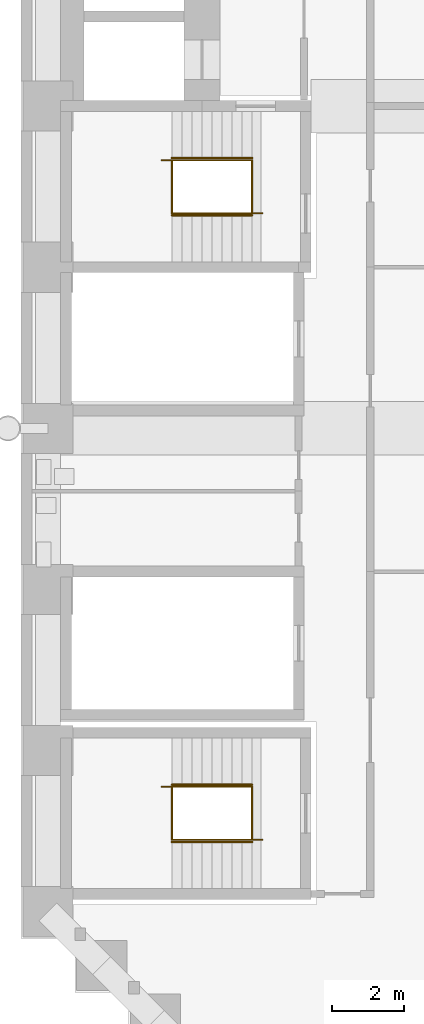
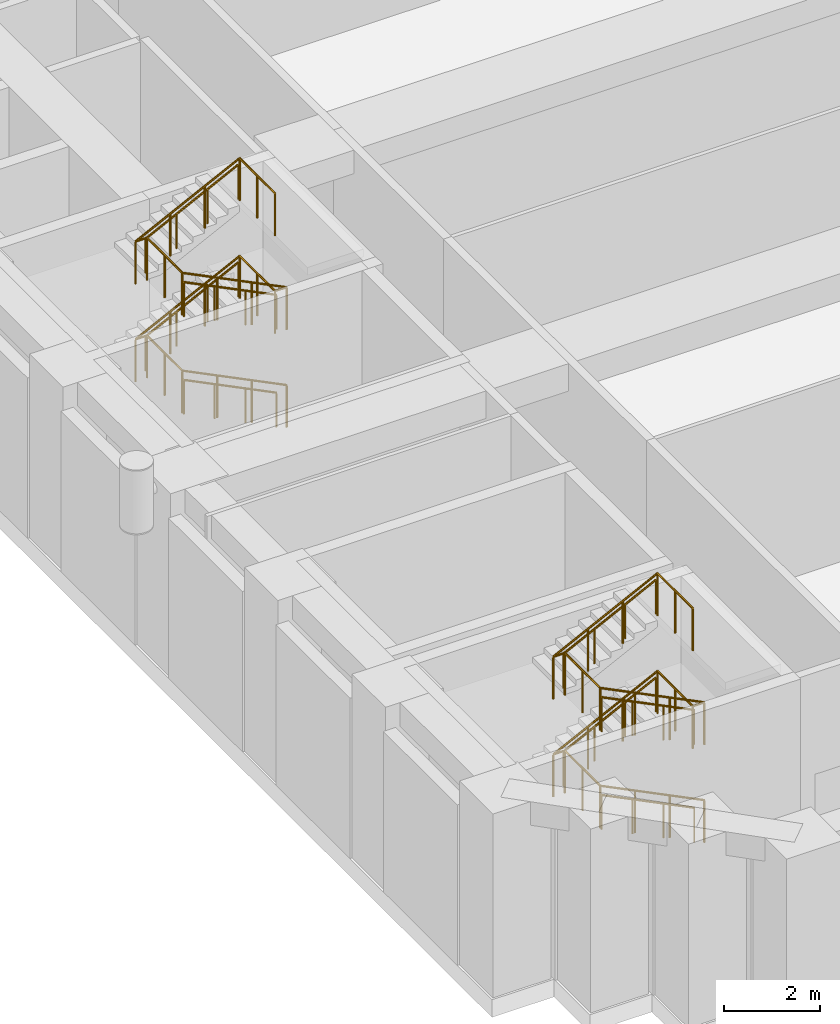
# One storey, part 31 of 35: 10 railings.
"""IFC4 building model written with IfcOpenShell, lengths in metres."""

from ifc_helpers import new_model, si_unit, direction, frame, origin, origin_2d, place, context, subcontext, project, spatial, circle, extrude, material, type_object, element, save


model = new_model("IFC4")

# Units and contexts
model_context = context("Model", 3, precision=1e-05, world=origin(), true_north=direction((0.0, 1.0)))
body_context = subcontext(model_context, "Body", "Model", "MODEL_VIEW")
ifc_project = project(units=[si_unit("LENGTHUNIT", "METRE"), si_unit("AREAUNIT", "SQUARE_METRE"), si_unit("VOLUMEUNIT", "CUBIC_METRE"), si_unit("PLANEANGLEUNIT", "RADIAN"), si_unit("MASSUNIT", "GRAM", prefix="KILO")], contexts=[model_context])

# Site, building, storey
site_placement = place(None, origin())
site = spatial("IfcSite", under=ifc_project, at=site_placement, CompositionType="ELEMENT")
building_placement = place(site_placement, origin())
building = spatial("IfcBuilding", under=site, at=building_placement, Name="Firuza Court", CompositionType="ELEMENT")
storey_placement = place(building_placement, frame((0.0, 0.0, 24.0)))
storey = spatial("IfcBuildingStorey", under=building, at=storey_placement, Name="L04", CompositionType="ELEMENT", Elevation=24.0)

# Railings
ifc_material_1 = material(Name="Steel S355", Category="steel")
railing_type_1 = type_object("IfcRailingType", Name="Handrail 900", PredefinedType="HANDRAIL", material=ifc_material_1)
railing_1_placement = place(storey_placement, frame((5.699951171875, 23.949951171875, 0.138916015625)))
element("IfcRailing", 1, at=railing_1_placement, inside=storey, type_object=railing_type_1, Name="Handrail S2 flight 1", PredefinedType="HANDRAIL", context=body_context, shape_type="SweptSolid", body=[
    extrude(circle(Radius=0.02490234375, at=origin_2d()), frame((0.0, 0.0, 0.875), z_axis=(-0.895848192791, 0.0, 0.444360231651), x_axis=(0.0, -1.0, 0.0)), (0.0, 0.0, 1.0), 2.50048828125),
    extrude(circle(Radius=0.02001953125, at=origin_2d()), origin(), (0.0, 0.0, 1.0), 0.849853515625),
    extrude(circle(Radius=0.02001953125, at=origin_2d()), frame((-0.74658203125, 0.0, 0.370361328125)), (0.0, 0.0, 1.0), 0.849853515625),
    extrude(circle(Radius=0.02001953125, at=origin_2d()), frame((-1.493408203125, 0.0, 0.74072265625)), (0.0, 0.0, 1.0), 0.849853515625),
    extrude(circle(Radius=0.02001953125, at=origin_2d()), frame((-2.239990234375, 0.0, 1.111083984375)), (0.0, 0.0, 1.0), 0.849853515625),
])
railing_2_placement = place(storey_placement, frame((3.4599609375, 25.550048828125, 1.388916015625)))
element("IfcRailing", 2, at=railing_2_placement, inside=storey, type_object=railing_type_1, Name="Handrail S2 flight 2", PredefinedType="HANDRAIL", context=body_context, shape_type="SweptSolid", body=[
    extrude(circle(Radius=0.02490234375, at=origin_2d()), frame((0.0, 0.0, 0.875), z_axis=(0.895848192791, 0.0, 0.444360231651), x_axis=(0.0, 1.0, 0.0)), (0.0, 0.0, 1.0), 2.50048828125),
    extrude(circle(Radius=0.02001953125, at=origin_2d()), origin(), (0.0, 0.0, 1.0), 0.849853515625),
    extrude(circle(Radius=0.02001953125, at=origin_2d()), frame((0.74658203125, 0.0, 0.370361328125)), (0.0, 0.0, 1.0), 0.849853515625),
    extrude(circle(Radius=0.02001953125, at=origin_2d()), frame((1.493408203125, 0.0, 0.74072265625)), (0.0, 0.0, 1.0), 0.849853515625),
    extrude(circle(Radius=0.02001953125, at=origin_2d()), frame((2.239990234375, 0.0, 1.111083984375)), (0.0, 0.0, 1.0), 0.849853515625),
])
railing_3_placement = place(storey_placement, frame((5.699951171875, 23.949951171875, 2.638916015625)))
element("IfcRailing", 3, at=railing_3_placement, inside=storey, type_object=railing_type_1, Name="Handrail S2 flight 3", PredefinedType="HANDRAIL", context=body_context, shape_type="SweptSolid", body=[
    extrude(circle(Radius=0.02490234375, at=origin_2d()), frame((0.0, 0.0, 0.875), z_axis=(-0.895848192791, 0.0, 0.444360231651), x_axis=(0.0, -1.0, 0.0)), (0.0, 0.0, 1.0), 2.50048828125),
    extrude(circle(Radius=0.02001953125, at=origin_2d()), origin(), (0.0, 0.0, 1.0), 0.849853515625),
    extrude(circle(Radius=0.02001953125, at=origin_2d()), frame((-0.74658203125, 0.0, 0.370361328125)), (0.0, 0.0, 1.0), 0.849853515625),
    extrude(circle(Radius=0.02001953125, at=origin_2d()), frame((-1.493408203125, 0.0, 0.74072265625)), (0.0, 0.0, 1.0), 0.849853515625),
    extrude(circle(Radius=0.02001953125, at=origin_2d()), frame((-2.239990234375, 0.0, 1.111083984375)), (0.0, 0.0, 1.0), 0.849853515625),
])
railing_4_placement = place(storey_placement, frame((3.4599609375, 25.550048828125, 3.888916015625)))
element("IfcRailing", 4, at=railing_4_placement, inside=storey, type_object=railing_type_1, Name="Handrail S2 flight 4", PredefinedType="HANDRAIL", context=body_context, shape_type="SweptSolid", body=[
    extrude(circle(Radius=0.02490234375, at=origin_2d()), frame((0.0, 0.0, 0.875), z_axis=(0.895848192791, 0.0, 0.444360231651), x_axis=(0.0, 1.0, 0.0)), (0.0, 0.0, 1.0), 2.50048828125),
    extrude(circle(Radius=0.02001953125, at=origin_2d()), origin(), (0.0, 0.0, 1.0), 0.849853515625),
    extrude(circle(Radius=0.02001953125, at=origin_2d()), frame((0.74658203125, 0.0, 0.370361328125)), (0.0, 0.0, 1.0), 0.849853515625),
    extrude(circle(Radius=0.02001953125, at=origin_2d()), frame((1.493408203125, 0.0, 0.74072265625)), (0.0, 0.0, 1.0), 0.849853515625),
    extrude(circle(Radius=0.02001953125, at=origin_2d()), frame((2.239990234375, 0.0, 1.111083984375)), (0.0, 0.0, 1.0), 0.849853515625),
])
railing_5_placement = place(storey_placement, frame((5.699951171875, 6.449951171875, 0.138916015625)))
element("IfcRailing", 5, at=railing_5_placement, inside=storey, type_object=railing_type_1, Name="Handrail S5 flight 1", PredefinedType="HANDRAIL", context=body_context, shape_type="SweptSolid", body=[
    extrude(circle(Radius=0.02490234375, at=origin_2d()), frame((0.0, 0.0, 0.875), z_axis=(-0.895848192791, 0.0, 0.444360231651), x_axis=(0.0, -1.0, 0.0)), (0.0, 0.0, 1.0), 2.50048828125),
    extrude(circle(Radius=0.02001953125, at=origin_2d()), origin(), (0.0, 0.0, 1.0), 0.849853515625),
    extrude(circle(Radius=0.02001953125, at=origin_2d()), frame((-0.74658203125, 0.0, 0.370361328125)), (0.0, 0.0, 1.0), 0.849853515625),
    extrude(circle(Radius=0.02001953125, at=origin_2d()), frame((-1.493408203125, 0.0, 0.74072265625)), (0.0, 0.0, 1.0), 0.849853515625),
    extrude(circle(Radius=0.02001953125, at=origin_2d()), frame((-2.239990234375, 0.0, 1.111083984375)), (0.0, 0.0, 1.0), 0.849853515625),
])
railing_6_placement = place(storey_placement, frame((3.4599609375, 8.050048828125, 1.388916015625)))
element("IfcRailing", 6, at=railing_6_placement, inside=storey, type_object=railing_type_1, Name="Handrail S5 flight 2", PredefinedType="HANDRAIL", context=body_context, shape_type="SweptSolid", body=[
    extrude(circle(Radius=0.02490234375, at=origin_2d()), frame((0.0, 0.0, 0.875), z_axis=(0.895848192791, 0.0, 0.444360231651), x_axis=(0.0, 1.0, 0.0)), (0.0, 0.0, 1.0), 2.50048828125),
    extrude(circle(Radius=0.02001953125, at=origin_2d()), origin(), (0.0, 0.0, 1.0), 0.849853515625),
    extrude(circle(Radius=0.02001953125, at=origin_2d()), frame((0.74658203125, 0.0, 0.370361328125)), (0.0, 0.0, 1.0), 0.849853515625),
    extrude(circle(Radius=0.02001953125, at=origin_2d()), frame((1.493408203125, 0.0, 0.74072265625)), (0.0, 0.0, 1.0), 0.849853515625),
    extrude(circle(Radius=0.02001953125, at=origin_2d()), frame((2.239990234375, 0.0, 1.111083984375)), (0.0, 0.0, 1.0), 0.849853515625),
])
railing_7_placement = place(storey_placement, frame((5.699951171875, 6.449951171875, 2.638916015625)))
element("IfcRailing", 7, at=railing_7_placement, inside=storey, type_object=railing_type_1, Name="Handrail S5 flight 3", PredefinedType="HANDRAIL", context=body_context, shape_type="SweptSolid", body=[
    extrude(circle(Radius=0.02490234375, at=origin_2d()), frame((0.0, 0.0, 0.875), z_axis=(-0.895848192791, 0.0, 0.444360231651), x_axis=(0.0, -1.0, 0.0)), (0.0, 0.0, 1.0), 2.50048828125),
    extrude(circle(Radius=0.02001953125, at=origin_2d()), origin(), (0.0, 0.0, 1.0), 0.849853515625),
    extrude(circle(Radius=0.02001953125, at=origin_2d()), frame((-0.74658203125, 0.0, 0.370361328125)), (0.0, 0.0, 1.0), 0.849853515625),
    extrude(circle(Radius=0.02001953125, at=origin_2d()), frame((-1.493408203125, 0.0, 0.74072265625)), (0.0, 0.0, 1.0), 0.849853515625),
    extrude(circle(Radius=0.02001953125, at=origin_2d()), frame((-2.239990234375, 0.0, 1.111083984375)), (0.0, 0.0, 1.0), 0.849853515625),
])
railing_8_placement = place(storey_placement, frame((3.4599609375, 8.050048828125, 3.888916015625)))
element("IfcRailing", 8, at=railing_8_placement, inside=storey, type_object=railing_type_1, Name="Handrail S5 flight 4", PredefinedType="HANDRAIL", context=body_context, shape_type="SweptSolid", body=[
    extrude(circle(Radius=0.02490234375, at=origin_2d()), frame((0.0, 0.0, 0.875), z_axis=(0.895848192791, 0.0, 0.444360231651), x_axis=(0.0, 1.0, 0.0)), (0.0, 0.0, 1.0), 2.50048828125),
    extrude(circle(Radius=0.02001953125, at=origin_2d()), origin(), (0.0, 0.0, 1.0), 0.849853515625),
    extrude(circle(Radius=0.02001953125, at=origin_2d()), frame((0.74658203125, 0.0, 0.370361328125)), (0.0, 0.0, 1.0), 0.849853515625),
    extrude(circle(Radius=0.02001953125, at=origin_2d()), frame((1.493408203125, 0.0, 0.74072265625)), (0.0, 0.0, 1.0), 0.849853515625),
    extrude(circle(Radius=0.02001953125, at=origin_2d()), frame((2.239990234375, 0.0, 1.111083984375)), (0.0, 0.0, 1.0), 0.849853515625),
])
ifc_material_2 = material(Name="Steel S355", Category="steel")
railing_type_2 = type_object("IfcRailingType", Name="Stair guard 1100", PredefinedType="GUARDRAIL", material=ifc_material_2)
railing_9_placement = place(storey_placement, frame((5.97998046875, 24.010009765625, 0.0)))
element("IfcRailing", 9, at=railing_9_placement, inside=storey, type_object=railing_type_2, Name="Stair well guard S2", PredefinedType="GUARDRAIL", context=body_context, shape_type="SweptSolid", body=[
    extrude(circle(Radius=0.02490234375, at=origin_2d()), frame((0.0, 0.0, 1.0751953125), z_axis=(-0.89584601627, 0.0, 0.44436461958), x_axis=(0.0, -1.0, 0.0)), (0.0, 0.0, 1.0), 2.81298828125),
    extrude(circle(Radius=0.02490234375, at=origin_2d()), frame((-2.52001953125, 0.0, 2.3251953125), z_axis=(0.0, 1.0, 0.0), x_axis=(-1.0, 0.0, 0.0)), (0.0, 0.0, 1.0), 1.47998046875),
    extrude(circle(Radius=0.02490234375, at=origin_2d()), frame((-2.52001953125, 1.47998046875, 2.3251953125), z_axis=(-1.0, 0.0, 0.0), x_axis=(0.0, -1.0, 0.0)), (0.0, 0.0, 1.0), 0.280029296875),
    extrude(circle(Radius=0.02490234375, at=origin_2d()), frame((-2.800048828125, 1.47998046875, 2.3251953125), z_axis=(0.89584601627, 0.0, 0.44436461958), x_axis=(0.0, 1.0, 0.0)), (0.0, 0.0, 1.0), 2.81298828125),
    extrude(circle(Radius=0.02490234375, at=origin_2d()), frame((-0.280029296875, 1.47998046875, 3.5751953125), z_axis=(0.0, -1.0, 0.0), x_axis=(1.0, 0.0, 0.0)), (0.0, 0.0, 1.0), 1.47998046875),
    extrude(circle(Radius=0.02490234375, at=origin_2d()), frame((-0.280029296875, 0.0, 3.5751953125), z_axis=(1.0, 0.0, 0.0), x_axis=(0.0, 1.0, 0.0)), (0.0, 0.0, 1.0), 0.280029296875),
    extrude(circle(Radius=0.02490234375, at=origin_2d()), frame((0.0, 0.0, 3.5751953125), z_axis=(-0.89584601627, 0.0, 0.44436461958), x_axis=(0.0, -1.0, 0.0)), (0.0, 0.0, 1.0), 2.81298828125),
    extrude(circle(Radius=0.02490234375, at=origin_2d()), frame((-2.52001953125, 0.0, 4.8251953125), z_axis=(0.0, 1.0, 0.0), x_axis=(-1.0, 0.0, 0.0)), (0.0, 0.0, 1.0), 1.47998046875),
    extrude(circle(Radius=0.02490234375, at=origin_2d()), frame((-2.52001953125, 1.47998046875, 4.8251953125), z_axis=(-1.0, 0.0, 0.0), x_axis=(0.0, -1.0, 0.0)), (0.0, 0.0, 1.0), 0.280029296875),
    extrude(circle(Radius=0.02490234375, at=origin_2d()), frame((-2.800048828125, 1.47998046875, 4.8251953125), z_axis=(0.89584601627, 0.0, 0.44436461958), x_axis=(0.0, 1.0, 0.0)), (0.0, 0.0, 1.0), 2.81298828125),
    extrude(circle(Radius=0.02490234375, at=origin_2d()), frame((-0.280029296875, 1.47998046875, 6.0751953125), z_axis=(0.0, -1.0, 0.0), x_axis=(1.0, 0.0, 0.0)), (0.0, 0.0, 1.0), 1.47998046875),
    extrude(circle(Radius=0.02490234375, at=origin_2d()), origin(), (0.0, 0.0, 1.0), 1.050048828125),
    extrude(circle(Radius=0.02490234375, at=origin_2d()), frame((-0.840087890625, 0.0, 0.416748046875)), (0.0, 0.0, 1.0), 1.050048828125),
    extrude(circle(Radius=0.02490234375, at=origin_2d()), frame((-1.679931640625, 0.0, 0.833251953125)), (0.0, 0.0, 1.0), 1.050048828125),
    extrude(circle(Radius=0.02490234375, at=origin_2d()), frame((-2.52001953125, 0.0, 1.25)), (0.0, 0.0, 1.0), 1.050048828125),
    extrude(circle(Radius=0.02490234375, at=origin_2d()), frame((-2.52001953125, 0.739990234375, 1.25)), (0.0, 0.0, 1.0), 1.050048828125),
    extrude(circle(Radius=0.02490234375, at=origin_2d()), frame((-2.52001953125, 1.47998046875, 1.25)), (0.0, 0.0, 1.0), 1.050048828125),
    extrude(circle(Radius=0.02490234375, at=origin_2d()), frame((-2.800048828125, 1.47998046875, 1.25)), (0.0, 0.0, 1.0), 1.050048828125),
    extrude(circle(Radius=0.02490234375, at=origin_2d()), frame((-1.9599609375, 1.47998046875, 1.666748046875)), (0.0, 0.0, 1.0), 1.050048828125),
    extrude(circle(Radius=0.02490234375, at=origin_2d()), frame((-1.1201171875, 1.47998046875, 2.083251953125)), (0.0, 0.0, 1.0), 1.050048828125),
    extrude(circle(Radius=0.02490234375, at=origin_2d()), frame((-0.280029296875, 1.47998046875, 2.5)), (0.0, 0.0, 1.0), 1.050048828125),
    extrude(circle(Radius=0.02490234375, at=origin_2d()), frame((-0.280029296875, 0.739990234375, 2.5)), (0.0, 0.0, 1.0), 1.050048828125),
    extrude(circle(Radius=0.02490234375, at=origin_2d()), frame((-0.280029296875, 0.0, 2.5)), (0.0, 0.0, 1.0), 1.050048828125),
    extrude(circle(Radius=0.02490234375, at=origin_2d()), frame((0.0, 0.0, 2.5)), (0.0, 0.0, 1.0), 1.050048828125),
    extrude(circle(Radius=0.02490234375, at=origin_2d()), frame((-0.840087890625, 0.0, 2.916748046875)), (0.0, 0.0, 1.0), 1.050048828125),
    extrude(circle(Radius=0.02490234375, at=origin_2d()), frame((-1.679931640625, 0.0, 3.333251953125)), (0.0, 0.0, 1.0), 1.050048828125),
    extrude(circle(Radius=0.02490234375, at=origin_2d()), frame((-2.52001953125, 0.0, 3.75)), (0.0, 0.0, 1.0), 1.050048828125),
    extrude(circle(Radius=0.02490234375, at=origin_2d()), frame((-2.52001953125, 0.739990234375, 3.75)), (0.0, 0.0, 1.0), 1.050048828125),
    extrude(circle(Radius=0.02490234375, at=origin_2d()), frame((-2.52001953125, 1.47998046875, 3.75)), (0.0, 0.0, 1.0), 1.050048828125),
    extrude(circle(Radius=0.02490234375, at=origin_2d()), frame((-2.800048828125, 1.47998046875, 3.75)), (0.0, 0.0, 1.0), 1.050048828125),
    extrude(circle(Radius=0.02490234375, at=origin_2d()), frame((-1.9599609375, 1.47998046875, 4.166748046875)), (0.0, 0.0, 1.0), 1.050048828125),
    extrude(circle(Radius=0.02490234375, at=origin_2d()), frame((-1.1201171875, 1.47998046875, 4.583251953125)), (0.0, 0.0, 1.0), 1.050048828125),
    extrude(circle(Radius=0.02490234375, at=origin_2d()), frame((-0.280029296875, 1.47998046875, 5.0)), (0.0, 0.0, 1.0), 1.050048828125),
    extrude(circle(Radius=0.02490234375, at=origin_2d()), frame((-0.280029296875, 0.739990234375, 5.0)), (0.0, 0.0, 1.0), 1.050048828125),
    extrude(circle(Radius=0.02490234375, at=origin_2d()), frame((-0.280029296875, 0.0, 5.0)), (0.0, 0.0, 1.0), 1.050048828125),
])
railing_10_placement = place(storey_placement, frame((5.97998046875, 6.510009765625, 0.0)))
element("IfcRailing", 10, at=railing_10_placement, inside=storey, type_object=railing_type_2, Name="Stair well guard S5", PredefinedType="GUARDRAIL", context=body_context, shape_type="SweptSolid", body=[
    extrude(circle(Radius=0.02490234375, at=origin_2d()), frame((0.0, 0.0, 1.0751953125), z_axis=(-0.89584601627, 0.0, 0.44436461958), x_axis=(0.0, -1.0, 0.0)), (0.0, 0.0, 1.0), 2.81298828125),
    extrude(circle(Radius=0.02490234375, at=origin_2d()), frame((-2.52001953125, 0.0, 2.3251953125), z_axis=(0.0, 1.0, 0.0), x_axis=(-1.0, 0.0, 0.0)), (0.0, 0.0, 1.0), 1.47998046875),
    extrude(circle(Radius=0.02490234375, at=origin_2d()), frame((-2.52001953125, 1.47998046875, 2.3251953125), z_axis=(-1.0, 0.0, 0.0), x_axis=(0.0, -1.0, 0.0)), (0.0, 0.0, 1.0), 0.280029296875),
    extrude(circle(Radius=0.02490234375, at=origin_2d()), frame((-2.800048828125, 1.47998046875, 2.3251953125), z_axis=(0.89584601627, 0.0, 0.44436461958), x_axis=(0.0, 1.0, 0.0)), (0.0, 0.0, 1.0), 2.81298828125),
    extrude(circle(Radius=0.02490234375, at=origin_2d()), frame((-0.280029296875, 1.47998046875, 3.5751953125), z_axis=(0.0, -1.0, 0.0), x_axis=(1.0, 0.0, 0.0)), (0.0, 0.0, 1.0), 1.47998046875),
    extrude(circle(Radius=0.02490234375, at=origin_2d()), frame((-0.280029296875, 0.0, 3.5751953125), z_axis=(1.0, 0.0, 0.0), x_axis=(0.0, 1.0, 0.0)), (0.0, 0.0, 1.0), 0.280029296875),
    extrude(circle(Radius=0.02490234375, at=origin_2d()), frame((0.0, 0.0, 3.5751953125), z_axis=(-0.89584601627, 0.0, 0.44436461958), x_axis=(0.0, -1.0, 0.0)), (0.0, 0.0, 1.0), 2.81298828125),
    extrude(circle(Radius=0.02490234375, at=origin_2d()), frame((-2.52001953125, 0.0, 4.8251953125), z_axis=(0.0, 1.0, 0.0), x_axis=(-1.0, 0.0, 0.0)), (0.0, 0.0, 1.0), 1.47998046875),
    extrude(circle(Radius=0.02490234375, at=origin_2d()), frame((-2.52001953125, 1.47998046875, 4.8251953125), z_axis=(-1.0, 0.0, 0.0), x_axis=(0.0, -1.0, 0.0)), (0.0, 0.0, 1.0), 0.280029296875),
    extrude(circle(Radius=0.02490234375, at=origin_2d()), frame((-2.800048828125, 1.47998046875, 4.8251953125), z_axis=(0.89584601627, 0.0, 0.44436461958), x_axis=(0.0, 1.0, 0.0)), (0.0, 0.0, 1.0), 2.81298828125),
    extrude(circle(Radius=0.02490234375, at=origin_2d()), frame((-0.280029296875, 1.47998046875, 6.0751953125), z_axis=(0.0, -1.0, 0.0), x_axis=(1.0, 0.0, 0.0)), (0.0, 0.0, 1.0), 1.47998046875),
    extrude(circle(Radius=0.02490234375, at=origin_2d()), origin(), (0.0, 0.0, 1.0), 1.050048828125),
    extrude(circle(Radius=0.02490234375, at=origin_2d()), frame((-0.840087890625, 0.0, 0.416748046875)), (0.0, 0.0, 1.0), 1.050048828125),
    extrude(circle(Radius=0.02490234375, at=origin_2d()), frame((-1.679931640625, 0.0, 0.833251953125)), (0.0, 0.0, 1.0), 1.050048828125),
    extrude(circle(Radius=0.02490234375, at=origin_2d()), frame((-2.52001953125, 0.0, 1.25)), (0.0, 0.0, 1.0), 1.050048828125),
    extrude(circle(Radius=0.02490234375, at=origin_2d()), frame((-2.52001953125, 0.739990234375, 1.25)), (0.0, 0.0, 1.0), 1.050048828125),
    extrude(circle(Radius=0.02490234375, at=origin_2d()), frame((-2.52001953125, 1.47998046875, 1.25)), (0.0, 0.0, 1.0), 1.050048828125),
    extrude(circle(Radius=0.02490234375, at=origin_2d()), frame((-2.800048828125, 1.47998046875, 1.25)), (0.0, 0.0, 1.0), 1.050048828125),
    extrude(circle(Radius=0.02490234375, at=origin_2d()), frame((-1.9599609375, 1.47998046875, 1.666748046875)), (0.0, 0.0, 1.0), 1.050048828125),
    extrude(circle(Radius=0.02490234375, at=origin_2d()), frame((-1.1201171875, 1.47998046875, 2.083251953125)), (0.0, 0.0, 1.0), 1.050048828125),
    extrude(circle(Radius=0.02490234375, at=origin_2d()), frame((-0.280029296875, 1.47998046875, 2.5)), (0.0, 0.0, 1.0), 1.050048828125),
    extrude(circle(Radius=0.02490234375, at=origin_2d()), frame((-0.280029296875, 0.739990234375, 2.5)), (0.0, 0.0, 1.0), 1.050048828125),
    extrude(circle(Radius=0.02490234375, at=origin_2d()), frame((-0.280029296875, 0.0, 2.5)), (0.0, 0.0, 1.0), 1.050048828125),
    extrude(circle(Radius=0.02490234375, at=origin_2d()), frame((0.0, 0.0, 2.5)), (0.0, 0.0, 1.0), 1.050048828125),
    extrude(circle(Radius=0.02490234375, at=origin_2d()), frame((-0.840087890625, 0.0, 2.916748046875)), (0.0, 0.0, 1.0), 1.050048828125),
    extrude(circle(Radius=0.02490234375, at=origin_2d()), frame((-1.679931640625, 0.0, 3.333251953125)), (0.0, 0.0, 1.0), 1.050048828125),
    extrude(circle(Radius=0.02490234375, at=origin_2d()), frame((-2.52001953125, 0.0, 3.75)), (0.0, 0.0, 1.0), 1.050048828125),
    extrude(circle(Radius=0.02490234375, at=origin_2d()), frame((-2.52001953125, 0.739990234375, 3.75)), (0.0, 0.0, 1.0), 1.050048828125),
    extrude(circle(Radius=0.02490234375, at=origin_2d()), frame((-2.52001953125, 1.47998046875, 3.75)), (0.0, 0.0, 1.0), 1.050048828125),
    extrude(circle(Radius=0.02490234375, at=origin_2d()), frame((-2.800048828125, 1.47998046875, 3.75)), (0.0, 0.0, 1.0), 1.050048828125),
    extrude(circle(Radius=0.02490234375, at=origin_2d()), frame((-1.9599609375, 1.47998046875, 4.166748046875)), (0.0, 0.0, 1.0), 1.050048828125),
    extrude(circle(Radius=0.02490234375, at=origin_2d()), frame((-1.1201171875, 1.47998046875, 4.583251953125)), (0.0, 0.0, 1.0), 1.050048828125),
    extrude(circle(Radius=0.02490234375, at=origin_2d()), frame((-0.280029296875, 1.47998046875, 5.0)), (0.0, 0.0, 1.0), 1.050048828125),
    extrude(circle(Radius=0.02490234375, at=origin_2d()), frame((-0.280029296875, 0.739990234375, 5.0)), (0.0, 0.0, 1.0), 1.050048828125),
    extrude(circle(Radius=0.02490234375, at=origin_2d()), frame((-0.280029296875, 0.0, 5.0)), (0.0, 0.0, 1.0), 1.050048828125),
])

save(model, "model.ifc")
